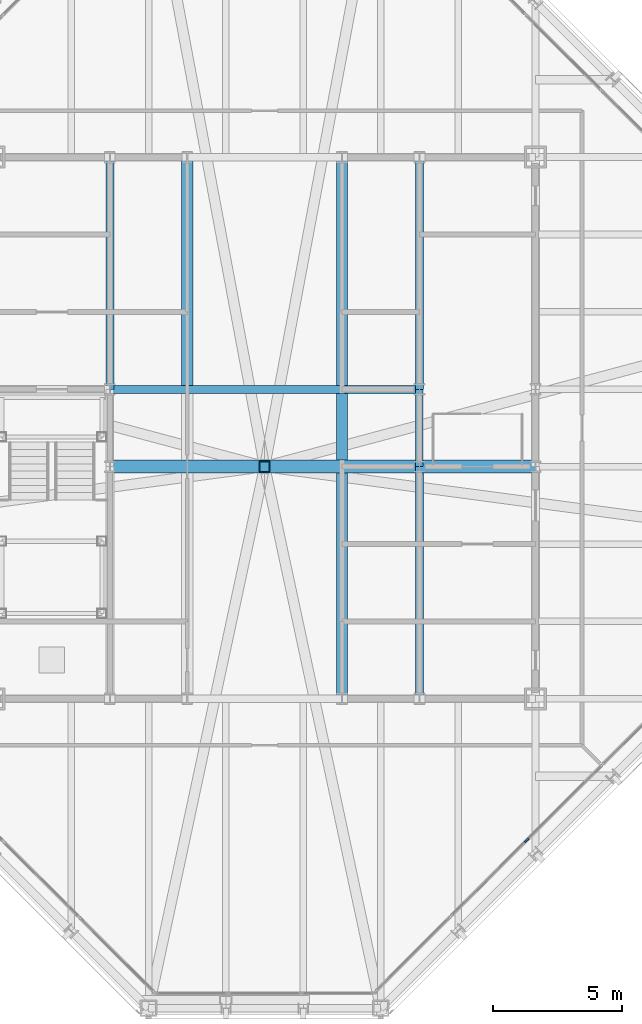
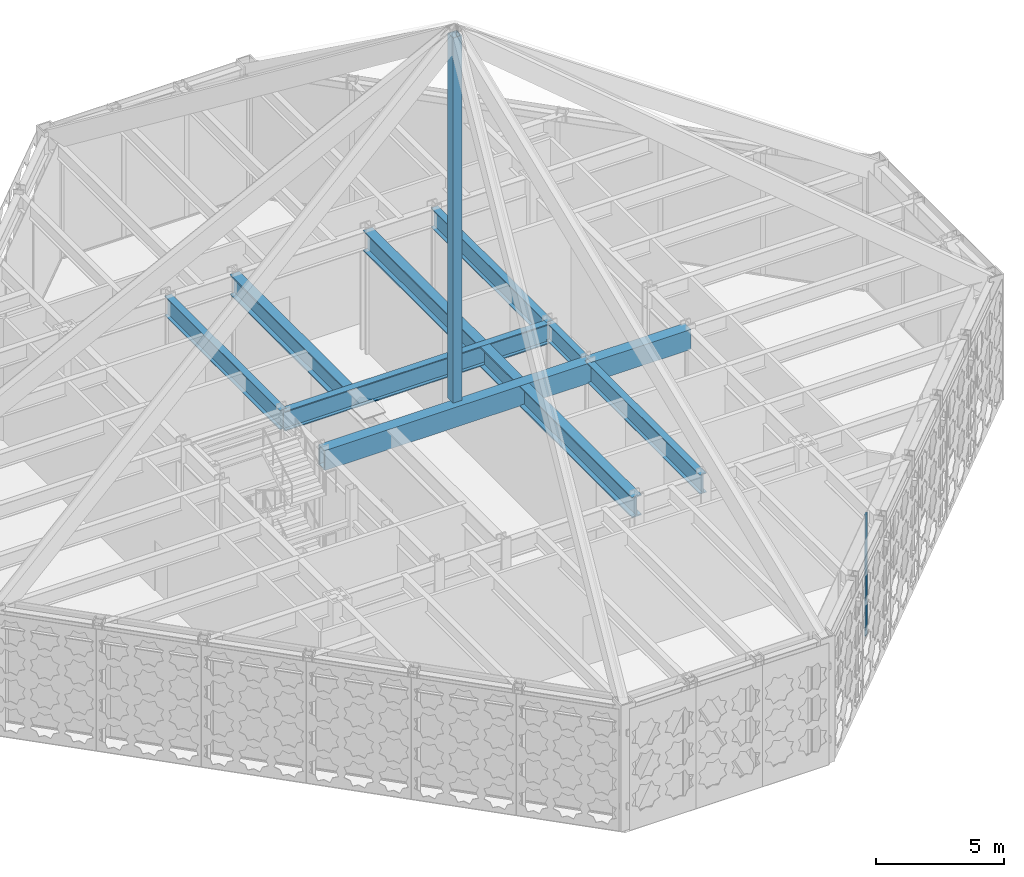
# One storey, part 7 of 30: 11 beams, 2 members, 1 element without a shape of its own.
"""IFC4 building model written with IfcOpenShell, lengths in metres."""

from ifc_helpers import new_model, si_unit, direction, frame, origin, origin_2d, place, context, subcontext, project, spatial, rectangle, hollow_rectangle, i_section, extrude, material, layer, layer_set, material_profile, profile_set, type_object, element, aggregate, save


model = new_model("IFC4")

# Units and contexts
model_context = context("Model", 3, precision=1e-05, world=origin(), true_north=direction((0.0, 1.0)))
body_context = subcontext(model_context, "Body", "Model", "MODEL_VIEW")
ifc_project = project(units=[si_unit("LENGTHUNIT", "METRE"), si_unit("AREAUNIT", "SQUARE_METRE"), si_unit("VOLUMEUNIT", "CUBIC_METRE"), si_unit("PLANEANGLEUNIT", "RADIAN"), si_unit("MASSUNIT", "GRAM", prefix="KILO")], contexts=[model_context])

# Site, building, storey
site_placement = place(None, origin())
site = spatial("IfcSite", under=ifc_project, at=site_placement, CompositionType="ELEMENT")
building_placement = place(site_placement, origin())
building = spatial("IfcBuilding", under=site, at=building_placement, Name="Chuquiago Exchange Tower", CompositionType="ELEMENT")
storey_placement = place(building_placement, frame((0.0, 0.0, 306.0)))
storey = spatial("IfcBuildingStorey", under=building, at=storey_placement, Name="L68", CompositionType="ELEMENT", Elevation=306.0)

# Beams
ifc_material_1 = material(Name="Steel ASTM A992", Category="steel")
ifc_material_profile_1 = material_profile(ifc_material_1, i_section(OverallWidth=0.307373046875, OverallDepth=0.927001953125, WebThickness=0.01953125, FlangeThickness=0.031982421875, at=origin_2d()), Name="W36X194")
ifc_profile_set_1 = profile_set([ifc_material_profile_1], Name="Steel ASTM A992")
beam_type_1 = type_object("IfcBeamType", Name="B10 W36X194", PredefinedType="BEAM", material=ifc_profile_set_1)
for number, where, z_axis, x_axis, name in (
    (1, (16.5, 24.0, 5.33642578125), (0.0, 1.0, 0.0), (-1.0, 0.0, 0.0), "CB-ROOF-16.5_24-16.5_33"),
    (2, (28.5, 12.0, 5.33642578125), (0.0, 1.0, 0.0), (-1.0, 0.0, 0.0), "CB-ROOF-28.5_12-28.5_21"),
    (3, (28.5, 24.0, 5.33642578125), (0.0, 1.0, 0.0), (-1.0, 0.0, 0.0), "CB-ROOF-28.5_24-28.5_33"),
):
    element("IfcBeam", number, at=place(storey_placement, frame(where, z_axis=z_axis, x_axis=x_axis)), inside=storey, type_object=beam_type_1, Name=name, PredefinedType="BEAM", context=body_context, shape_type="SweptSolid", body=[
        extrude(i_section(OverallWidth=0.307373046875, OverallDepth=0.927001953125, WebThickness=0.01953125, FlangeThickness=0.031982421875, at=origin_2d()), origin(), (0.0, 0.0, 1.0), 9.0),
    ])
ifc_material_2 = material(Name="Steel ASTM A992", Category="steel")
ifc_material_profile_2 = material_profile(ifc_material_2, i_section(OverallWidth=0.309814453125, OverallDepth=0.949951171875, WebThickness=0.0244140625, FlangeThickness=0.0439453125, at=origin_2d()), Name="W36X256")
ifc_profile_set_2 = profile_set([ifc_material_profile_2], Name="Steel ASTM A992")
beam_type_2 = type_object("IfcBeamType", Name="B11 W36X256", PredefinedType="BEAM", material=ifc_profile_set_2)
beam_1_placement = place(storey_placement, frame((16.5, 24.0, 5.324951171875), z_axis=(1.0, 0.0, 0.0), x_axis=(0.0, 1.0, 0.0)))
element("IfcBeam", 4, at=beam_1_placement, inside=storey, type_object=beam_type_2, Name="CB-ROOF-16.5_24-28.5_24", PredefinedType="BEAM", context=body_context, shape_type="SweptSolid", body=[
    extrude(i_section(OverallWidth=0.309814453125, OverallDepth=0.949951171875, WebThickness=0.0244140625, FlangeThickness=0.0439453125, at=origin_2d()), origin(), (0.0, 0.0, 1.0), 12.0),
])
ifc_material_3 = material(Name="Steel ASTM A992", Category="steel")
ifc_material_profile_3 = material_profile(ifc_material_3, i_section(OverallWidth=0.4267578125, OverallDepth=0.975341796875, WebThickness=0.031005859375, FlangeThickness=0.055908203125, at=origin_2d()), Name="W36X395")
ifc_profile_set_3 = profile_set([ifc_material_profile_3], Name="Steel ASTM A992")
beam_type_3 = type_object("IfcBeamType", Name="B12 W36X395", PredefinedType="BEAM", material=ifc_profile_set_3)
beam_2_placement = place(storey_placement, frame((19.5, 24.15478515625, 5.312255859375), z_axis=(0.0, 1.0, 0.0), x_axis=(-1.0, 0.0, 0.0)))
element("IfcBeam", 5, at=beam_2_placement, inside=storey, type_object=beam_type_3, Name="CB-ROOF-19.5_24.1549-19.5_33", PredefinedType="BEAM", context=body_context, shape_type="SweptSolid", body=[
    extrude(i_section(OverallWidth=0.4267578125, OverallDepth=0.975341796875, WebThickness=0.031005859375, FlangeThickness=0.055908203125, at=origin_2d()), origin(), (0.0, 0.0, 1.0), 8.84521484375),
])
beam_3_placement = place(storey_placement, frame((25.5, 12.0, 5.312255859375), z_axis=(0.0, 1.0, 0.0), x_axis=(-1.0, 0.0, 0.0)))
element("IfcBeam", 6, at=beam_3_placement, inside=storey, type_object=beam_type_3, Name="CB-ROOF-25.5_12-25.5_20.75", PredefinedType="BEAM", context=body_context, shape_type="SweptSolid", body=[
    extrude(i_section(OverallWidth=0.4267578125, OverallDepth=0.975341796875, WebThickness=0.031005859375, FlangeThickness=0.055908203125, at=origin_2d()), origin(), (0.0, 0.0, 1.0), 8.75),
])
beam_4_placement = place(storey_placement, frame((25.5, 21.25, 5.312255859375), z_axis=(0.0, 1.0, 0.0), x_axis=(-1.0, 0.0, 0.0)))
element("IfcBeam", 7, at=beam_4_placement, inside=storey, type_object=beam_type_3, Name="CB-ROOF-25.5_21.25-25.5_23.8451", PredefinedType="BEAM", context=body_context, shape_type="SweptSolid", body=[
    extrude(i_section(OverallWidth=0.4267578125, OverallDepth=0.975341796875, WebThickness=0.031005859375, FlangeThickness=0.055908203125, at=origin_2d()), origin(), (0.0, 0.0, 1.0), 2.59521484375),
])
beam_5_placement = place(storey_placement, frame((25.5, 24.15478515625, 5.312255859375), z_axis=(0.0, 1.0, 0.0), x_axis=(-1.0, 0.0, 0.0)))
element("IfcBeam", 8, at=beam_5_placement, inside=storey, type_object=beam_type_3, Name="CB-ROOF-25.5_24.1549-25.5_33", PredefinedType="BEAM", context=body_context, shape_type="SweptSolid", body=[
    extrude(i_section(OverallWidth=0.4267578125, OverallDepth=0.975341796875, WebThickness=0.031005859375, FlangeThickness=0.055908203125, at=origin_2d()), origin(), (0.0, 0.0, 1.0), 8.84521484375),
])
ifc_material_4 = material(Name="Steel ASTM A992", Category="steel")
ifc_material_profile_4 = material_profile(ifc_material_4, i_section(OverallWidth=0.2919921875, OverallDepth=0.8583984375, WebThickness=0.01708984375, FlangeThickness=0.031005859375, at=origin_2d()), Name="W33X169")
ifc_profile_set_4 = profile_set([ifc_material_profile_4], Name="Steel ASTM A992")
beam_type_4 = type_object("IfcBeamType", Name="B3 W33X169", PredefinedType="BEAM", material=ifc_profile_set_4)
beam_6_placement = place(storey_placement, frame((28.5, 21.0, 5.37060546875), z_axis=(0.0, 1.0, 0.0), x_axis=(-1.0, 0.0, 0.0)))
element("IfcBeam", 9, at=beam_6_placement, inside=storey, type_object=beam_type_4, Name="CB-ROOF-28.5_21-28.5_24", PredefinedType="BEAM", context=body_context, shape_type="SweptSolid", body=[
    extrude(i_section(OverallWidth=0.2919921875, OverallDepth=0.8583984375, WebThickness=0.01708984375, FlangeThickness=0.031005859375, at=origin_2d()), origin(), (0.0, 0.0, 1.0), 3.0),
])
ifc_material_5 = material(Name="Steel ASTM A572 Grade 50", Category="steel")
ifc_material_profile_5 = material_profile(ifc_material_5, hollow_rectangle(XDim=0.5, YDim=0.949951171875, WallThickness=0.06005859375, at=origin_2d()), Name="BOX950X500X60")
ifc_profile_set_5 = profile_set([ifc_material_profile_5], Name="Steel ASTM A572 Grade 50")
beam_type_5 = type_object("IfcBeamType", Name="CG1 BOX950X500X60", PredefinedType="BEAM", material=ifc_profile_set_5)
beam_7_placement = place(storey_placement, frame((16.5, 21.0, 5.324951171875), z_axis=(1.0, 0.0, 0.0), x_axis=(0.0, 1.0, 0.0)))
element("IfcBeam", 10, at=beam_7_placement, inside=storey, type_object=beam_type_5, Name="CB-ROOF-16.5_21-28.5_21", PredefinedType="BEAM", context=body_context, shape_type="SweptSolid", body=[
    extrude(hollow_rectangle(XDim=0.5, YDim=0.949951171875, WallThickness=0.06005859375, at=origin_2d()), origin(), (0.0, 0.0, 1.0), 12.0),
])
beam_8_placement = place(storey_placement, frame((28.5, 21.0, 5.324951171875), z_axis=(1.0, 0.0, 0.0), x_axis=(0.0, 1.0, 0.0)))
element("IfcBeam", 11, at=beam_8_placement, inside=storey, type_object=beam_type_5, Name="CB-ROOF-28.5_21-33_21", PredefinedType="BEAM", context=body_context, shape_type="SweptSolid", body=[
    extrude(hollow_rectangle(XDim=0.5, YDim=0.949951171875, WallThickness=0.06005859375, at=origin_2d()), origin(), (0.0, 0.0, 1.0), 4.5),
])

# Member
ifc_material_6 = material(Name="Steel ASTM A500 Grade C", Category="steel")
ifc_material_profile_6 = material_profile(ifc_material_6, hollow_rectangle(XDim=0.406494140625, YDim=0.406494140625, WallThickness=0.0146484375, at=origin_2d()), Name="HSS16X16X5/8")
ifc_profile_set_6 = profile_set([ifc_material_profile_6], Name="Steel ASTM A500 Grade C")
member_type_1 = type_object("IfcMemberType", Name="CR2 HSS16X16X5/8", PredefinedType="POST", material=ifc_profile_set_6)
member_1_placement = place(storey_placement, frame((22.5, 21.0, 6.0), z_axis=(0.0, 0.0, 1.0), x_axis=(1.0, 0.0, 0.0)))
element("IfcMember", 12, at=member_1_placement, inside=storey, type_object=member_type_1, Name="Crown king post", PredefinedType="POST", context=body_context, shape_type="SweptSolid", body=[
    extrude(hollow_rectangle(XDim=0.406494140625, YDim=0.406494140625, WallThickness=0.0146484375, at=origin_2d()), origin(), (0.0, 0.0, 1.0), 17.39208984375),
])

# Curtain wall, member
ifc_material_7 = material(Name="Aluminium curtain wall system", Category="aluminium")
ifc_layer = layer(ifc_material_7, 0.199951171875)
ifc_layer_set = layer_set([ifc_layer], Name="CW5 lantern curtain wall")
curtain_wall_type = type_object("IfcCurtainWallType", Name="CW5 lantern curtain wall", PredefinedType="NOTDEFINED", material=ifc_layer_set)
curtain_wall_placement = place(storey_placement, origin())
curtain_wall = element("IfcCurtainWall", 13, at=curtain_wall_placement, inside=storey, type_object=curtain_wall_type, Name="CW5 curtain wall L68", PredefinedType="NOTDEFINED")
ifc_material_8 = material(Name="Aluminium mullion, pale anodised", Category="aluminium")
ifc_material_profile_7 = material_profile(ifc_material_8, rectangle(XDim=0.06005859375, YDim=0.199951171875, at=origin_2d()), Name="AL 60x200")
ifc_profile_set_7 = profile_set([ifc_material_profile_7], Name="Aluminium mullion, pale anodised")
member_type_2 = type_object("IfcMemberType", Name="CW5-M mullion 60x200", PredefinedType="MULLION", material=ifc_profile_set_7)
member_2_placement = place(storey_placement, frame((32.657958984375, 6.50634765625, 0.0), z_axis=(0.0, 0.0, 1.0), x_axis=(-0.707104773852, 0.707108788515, 0.0)))
member_2 = element("IfcMember", 14, at=member_2_placement, type_object=member_type_2, Name="CW5 mullion 3", PredefinedType="MULLION", context=body_context, shape_type="SweptSolid", body=[
    extrude(rectangle(XDim=0.06005859375, YDim=0.199951171875, at=origin_2d()), origin(), (0.0, 0.0, 1.0), 5.800048828125),
])
aggregate(curtain_wall, [member_2])

save(model, "model.ifc")
